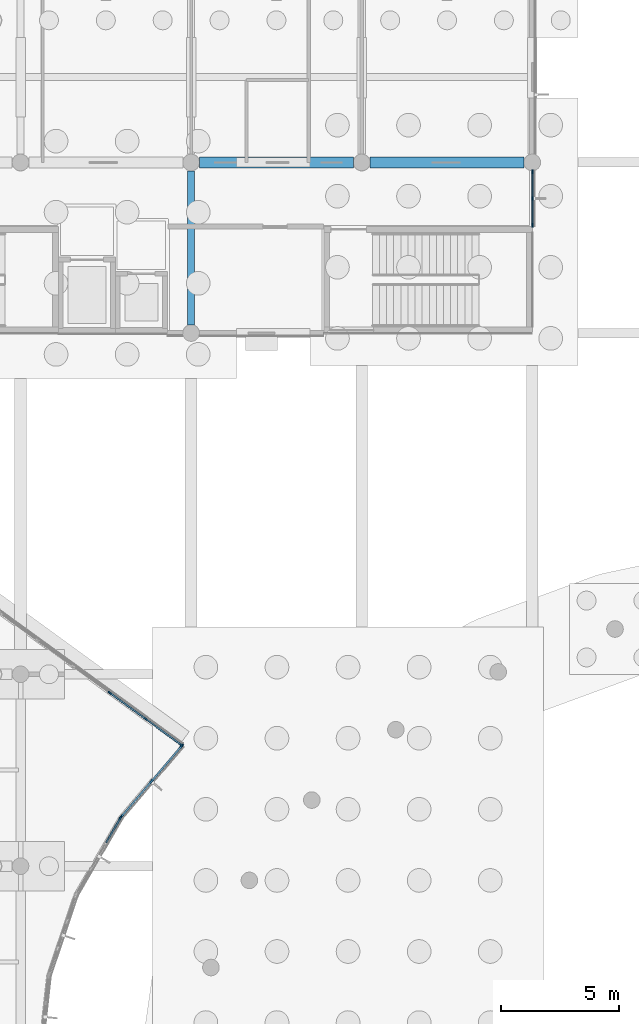
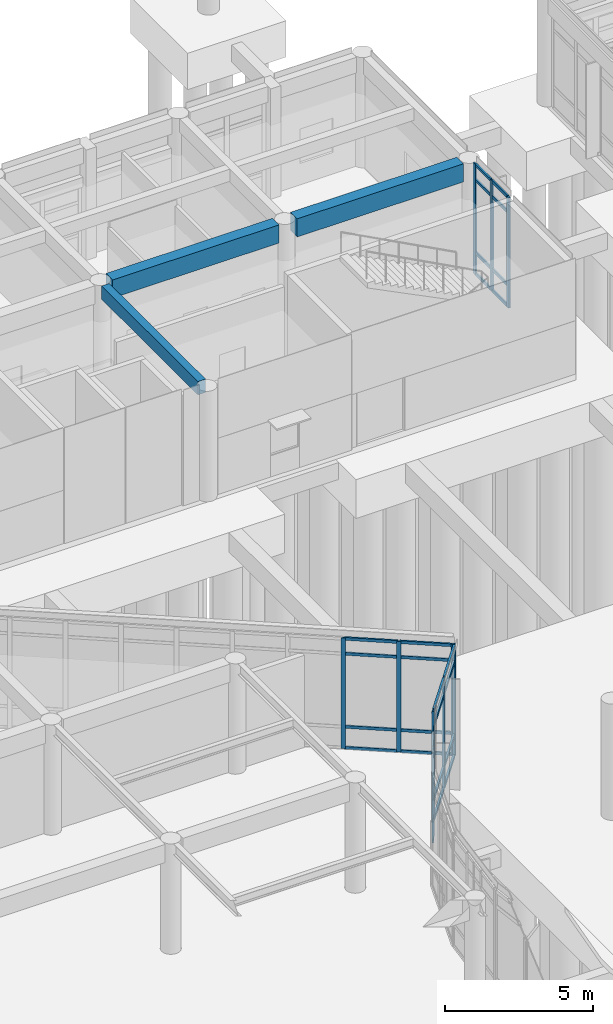
# One storey, part 30 of 103: 38 members, 3 beams, 4 elements without a shape of their own.
"""IFC4 building model written with IfcOpenShell, lengths in metres."""

from ifc_helpers import new_model, si_unit, direction, frame, origin, origin_2d, place, context, subcontext, project, spatial, rectangle, extrude, material, layer, layer_set, material_profile, profile_set, type_object, element, aggregate, save


model = new_model("IFC4")

# Units and contexts
model_context = context("Model", 3, precision=1e-05, world=origin(), true_north=direction((0.0, 1.0)))
body_context = subcontext(model_context, "Body", "Model", "MODEL_VIEW")
ifc_project = project(units=[si_unit("LENGTHUNIT", "METRE"), si_unit("AREAUNIT", "SQUARE_METRE"), si_unit("VOLUMEUNIT", "CUBIC_METRE"), si_unit("PLANEANGLEUNIT", "RADIAN"), si_unit("MASSUNIT", "GRAM", prefix="KILO")], contexts=[model_context])

# Site, building, storey
site_placement = place(None, origin())
site = spatial("IfcSite", under=ifc_project, at=site_placement, CompositionType="ELEMENT")
building_placement = place(site_placement, origin())
building = spatial("IfcBuilding", under=site, at=building_placement, Name="Namkhue Oval Health Centre", CompositionType="ELEMENT")
storey_placement = place(building_placement, origin())
storey = spatial("IfcBuildingStorey", under=building, at=storey_placement, Name="L00", CompositionType="ELEMENT", Elevation=0.0)

# Curtain wall, member
ifc_material_1 = material(Name="Anodised aluminium EN AW-6063 T6", Category="aluminium")
ifc_layer_1 = layer(ifc_material_1, 0.159912109375)
ifc_layer_set_1 = layer_set([ifc_layer_1], Name="Anodised aluminium EN AW-6063 T6")
curtain_wall_type_1 = type_object("IfcCurtainWallType", Name="UNITISED CURTAIN WALL M1500", PredefinedType="NOTDEFINED", material=ifc_layer_set_1)
curtain_wall_1_placement = place(storey_placement, origin())
curtain_wall_1 = element("IfcCurtainWall", 1, at=curtain_wall_1_placement, inside=storey, type_object=curtain_wall_type_1, Name="Volume V1 L00 Unitised Curtain Wall 9", PredefinedType="NOTDEFINED")
ifc_material_profile_1 = material_profile(ifc_material_1, rectangle(XDim=0.06494140625, YDim=0.159912109375, at=origin_2d()), Name="ALU 65x160")
ifc_profile_set_1 = profile_set([ifc_material_profile_1], Name="Anodised aluminium EN AW-6063 T6")
member_type_1 = type_object("IfcMemberType", Name="CURTAIN WALL MULLION 65X160", PredefinedType="MULLION", material=ifc_profile_set_1)
member_1_placement = place(storey_placement, frame((69.0126953125, 69.531982421875, 0.0), z_axis=(0.0, 0.0, 1.0), x_axis=(-0.865008156752, 0.501757798896, 0.0)))
member_1 = element("IfcMember", 2, at=member_1_placement, type_object=member_type_1, Name="CW-03 mullion 4", PredefinedType="MULLION", context=body_context, shape_type="SweptSolid", body=[
    extrude(rectangle(XDim=0.06494140625, YDim=0.159912109375, at=origin_2d()), origin(), (0.0, 0.0, 1.0), 4.56494140625),
])

# Curtain wall, members
ifc_layer_2 = layer(ifc_material_1, 0.159912109375)
ifc_layer_set_2 = layer_set([ifc_layer_2], Name="Anodised aluminium EN AW-6063 T6")
curtain_wall_type_2 = type_object("IfcCurtainWallType", Name="UNITISED CURTAIN WALL M1800", PredefinedType="NOTDEFINED", material=ifc_layer_set_2)
curtain_wall_2_placement = place(storey_placement, origin())
curtain_wall_2 = element("IfcCurtainWall", 3, at=curtain_wall_2_placement, inside=storey, type_object=curtain_wall_type_2, Name="Volume V1 L00 Unitised Curtain Wall 11", PredefinedType="NOTDEFINED")
member_2_placement = place(storey_placement, frame((71.591796875, 72.6162109375, 0.0), z_axis=(0.0, 0.0, 1.0), x_axis=(-0.588476942894, -0.808513999682, 0.0)))
member_2 = element("IfcMember", 4, at=member_2_placement, type_object=member_type_1, Name="CW-05 mullion 1", PredefinedType="MULLION", context=body_context, shape_type="SweptSolid", body=[
    extrude(rectangle(XDim=0.06494140625, YDim=0.159912109375, at=origin_2d()), origin(), (0.0, 0.0, 1.0), 4.56494140625),
])
member_3_placement = place(storey_placement, frame((70.090576171875, 73.708740234375, 0.0), z_axis=(0.0, 0.0, 1.0), x_axis=(-0.588476942894, -0.808513999682, 0.0)))
member_3 = element("IfcMember", 5, at=member_3_placement, type_object=member_type_1, Name="CW-05 mullion 2", PredefinedType="MULLION", context=body_context, shape_type="SweptSolid", body=[
    extrude(rectangle(XDim=0.06494140625, YDim=0.159912109375, at=origin_2d()), origin(), (0.0, 0.0, 1.0), 4.56494140625),
])
member_4_placement = place(storey_placement, frame((68.56298828125, 74.820556640625, 0.0), z_axis=(0.0, 0.0, 1.0), x_axis=(-0.588476942894, -0.808513999682, 0.0)))
member_4 = element("IfcMember", 6, at=member_4_placement, type_object=member_type_1, Name="CW-05 mullion 3", PredefinedType="MULLION", context=body_context, shape_type="SweptSolid", body=[
    extrude(rectangle(XDim=0.06494140625, YDim=0.159912109375, at=origin_2d()), origin(), (0.0, 0.0, 1.0), 4.56494140625),
])

ifc_layer_3 = layer(ifc_material_1, 0.159912109375)
ifc_layer_set_3 = layer_set([ifc_layer_3], Name="Anodised aluminium EN AW-6063 T6")
curtain_wall_type_3 = type_object("IfcCurtainWallType", Name="UNITISED CURTAIN WALL M1200", PredefinedType="NOTDEFINED", material=ifc_layer_set_3)
curtain_wall_3_placement = place(storey_placement, origin())
curtain_wall_3 = element("IfcCurtainWall", 7, at=curtain_wall_3_placement, inside=storey, type_object=curtain_wall_type_3, Name="Volume V2 L00 Unitised Curtain Wall 37", PredefinedType="NOTDEFINED")
member_5_placement = place(storey_placement, frame((86.39990234375, 94.549560546875, 0.0), z_axis=(0.0, 0.0, 1.0), x_axis=(-1.0, 0.0, 0.0)))
member_5 = element("IfcMember", 8, at=member_5_placement, type_object=member_type_1, Name="CW-01 mullion 1", PredefinedType="MULLION", context=body_context, shape_type="SweptSolid", body=[
    extrude(rectangle(XDim=0.06494140625, YDim=0.159912109375, at=origin_2d()), origin(), (0.0, 0.0, 1.0), 4.56005859375),
])
member_6_placement = place(storey_placement, frame((86.39990234375, 95.678466796875, 0.0), z_axis=(0.0, 0.0, 1.0), x_axis=(-1.0, 0.0, 0.0)))
member_6 = element("IfcMember", 9, at=member_6_placement, type_object=member_type_1, Name="CW-01 mullion 2", PredefinedType="MULLION", context=body_context, shape_type="SweptSolid", body=[
    extrude(rectangle(XDim=0.06494140625, YDim=0.159912109375, at=origin_2d()), origin(), (0.0, 0.0, 1.0), 4.56005859375),
])
member_7_placement = place(storey_placement, frame((86.39990234375, 96.8076171875, 0.0), z_axis=(0.0, 0.0, 1.0), x_axis=(-1.0, 0.0, 0.0)))
member_7 = element("IfcMember", 10, at=member_7_placement, type_object=member_type_1, Name="CW-01 mullion 3", PredefinedType="MULLION", context=body_context, shape_type="SweptSolid", body=[
    extrude(rectangle(XDim=0.06494140625, YDim=0.159912109375, at=origin_2d()), origin(), (0.0, 0.0, 1.0), 4.56005859375),
])

ifc_layer_4 = layer(ifc_material_1, 0.159912109375)
ifc_layer_set_4 = layer_set([ifc_layer_4], Name="Anodised aluminium EN AW-6063 T6")
curtain_wall_type_4 = type_object("IfcCurtainWallType", Name="UNITISED CURTAIN WALL M1600", PredefinedType="NOTDEFINED", material=ifc_layer_set_4)
curtain_wall_4_placement = place(storey_placement, origin())
curtain_wall_4 = element("IfcCurtainWall", 11, at=curtain_wall_4_placement, inside=storey, type_object=curtain_wall_type_4, Name="Volume V1 L00 Unitised Curtain Wall 10", PredefinedType="NOTDEFINED")
ifc_material_profile_2 = material_profile(ifc_material_1, rectangle(XDim=0.074951171875, YDim=0.199951171875, at=origin_2d()), Name="ALU 75x200")
ifc_profile_set_2 = profile_set([ifc_material_profile_2], Name="Anodised aluminium EN AW-6063 T6")
member_type_2 = type_object("IfcMemberType", Name="CURTAIN WALL MULLION 75X200", PredefinedType="MULLION", material=ifc_profile_set_2)
member_8_placement = place(storey_placement, frame((69.05322265625, 69.588623046875, 0.0), z_axis=(0.0, 0.0, 1.0), x_axis=(-0.761004950887, 0.648746071067, 0.0)))
member_8 = element("IfcMember", 12, at=member_8_placement, type_object=member_type_2, Name="CW-04 mullion 1", PredefinedType="MULLION", context=body_context, shape_type="SweptSolid", body=[
    extrude(rectangle(XDim=0.074951171875, YDim=0.199951171875, at=origin_2d()), origin(), (0.0, 0.0, 1.0), 4.56494140625),
])
member_9_placement = place(storey_placement, frame((70.323486328125, 71.07861328125, 0.0), z_axis=(0.0, 0.0, 1.0), x_axis=(-0.761004950887, 0.648746071067, 0.0)))
member_9 = element("IfcMember", 13, at=member_9_placement, type_object=member_type_2, Name="CW-04 mullion 2", PredefinedType="MULLION", context=body_context, shape_type="SweptSolid", body=[
    extrude(rectangle(XDim=0.074951171875, YDim=0.199951171875, at=origin_2d()), origin(), (0.0, 0.0, 1.0), 4.56494140625),
])
member_10_placement = place(storey_placement, frame((71.59375, 72.568359375, 0.0), z_axis=(0.0, 0.0, 1.0), x_axis=(-0.761004950887, 0.648746071067, 0.0)))
member_10 = element("IfcMember", 14, at=member_10_placement, type_object=member_type_2, Name="CW-04 mullion 3", PredefinedType="MULLION", context=body_context, shape_type="SweptSolid", body=[
    extrude(rectangle(XDim=0.074951171875, YDim=0.199951171875, at=origin_2d()), origin(), (0.0, 0.0, 1.0), 4.56494140625),
])

# Member
ifc_material_profile_3 = material_profile(ifc_material_1, rectangle(XDim=0.06494140625, YDim=0.1201171875, at=origin_2d()), Name="ALU 65x120")
ifc_profile_set_3 = profile_set([ifc_material_profile_3], Name="Anodised aluminium EN AW-6063 T6")
member_type_3 = type_object("IfcMemberType", Name="CURTAIN WALL TRANSOM 65X120", PredefinedType="USERDEFINED", material=ifc_profile_set_3)
member_11_placement = place(storey_placement, frame((68.4150390625, 68.50146484375, 0.032470703125), z_axis=(0.501733857722, 0.865022043658, 0.0), x_axis=(-0.865022043658, 0.501733857722, 0.0)))
member_11 = element("IfcMember", 15, at=member_11_placement, type_object=member_type_3, Name="CW-03 transom 3.1", ObjectType="TRANSOM", PredefinedType="USERDEFINED", context=body_context, shape_type="SweptSolid", body=[
    extrude(rectangle(XDim=0.06494140625, YDim=0.1201171875, at=origin_2d()), origin(), (0.0, 0.0, 1.0), 1.15869140625),
])

member_12_placement = place(storey_placement, frame((68.4150390625, 68.50146484375, 0.89990234375), z_axis=(0.501733857722, 0.865022043658, 0.0), x_axis=(-0.865022043658, 0.501733857722, 0.0)))
member_12 = element("IfcMember", 16, at=member_12_placement, type_object=member_type_3, Name="CW-03 transom 3.2", ObjectType="TRANSOM", PredefinedType="USERDEFINED", context=body_context, shape_type="SweptSolid", body=[
    extrude(rectangle(XDim=0.06494140625, YDim=0.1201171875, at=origin_2d()), origin(), (0.0, 0.0, 1.0), 1.15869140625),
])

member_13_placement = place(storey_placement, frame((68.4150390625, 68.50146484375, 3.9150390625), z_axis=(0.501733857722, 0.865022043658, 0.0), x_axis=(-0.865022043658, 0.501733857722, 0.0)))
member_13 = element("IfcMember", 17, at=member_13_placement, type_object=member_type_3, Name="CW-03 transom 3.3", ObjectType="TRANSOM", PredefinedType="USERDEFINED", context=body_context, shape_type="SweptSolid", body=[
    extrude(rectangle(XDim=0.06494140625, YDim=0.1201171875, at=origin_2d()), origin(), (0.0, 0.0, 1.0), 1.15869140625),
])

member_14_placement = place(storey_placement, frame((68.4150390625, 68.50146484375, 4.532470703125), z_axis=(0.501733857722, 0.865022043658, 0.0), x_axis=(-0.865022043658, 0.501733857722, 0.0)))
member_14 = element("IfcMember", 18, at=member_14_placement, type_object=member_type_3, Name="CW-03 transom 3.4", ObjectType="TRANSOM", PredefinedType="USERDEFINED", context=body_context, shape_type="SweptSolid", body=[
    extrude(rectangle(XDim=0.06494140625, YDim=0.1201171875, at=origin_2d()), origin(), (0.0, 0.0, 1.0), 1.15869140625),
])

aggregate(curtain_wall_1, [member_1, member_11, member_12, member_13, member_14])

member_15_placement = place(storey_placement, frame((71.5654296875, 72.63525390625, 0.032470703125), z_axis=(-0.808518025914, 0.588471411177, 0.0), x_axis=(-0.588471411177, -0.808518025914, 0.0)))
member_15 = element("IfcMember", 19, at=member_15_placement, type_object=member_type_3, Name="CW-05 transom 1.1", ObjectType="TRANSOM", PredefinedType="USERDEFINED", context=body_context, shape_type="SweptSolid", body=[
    extrude(rectangle(XDim=0.06494140625, YDim=0.1201171875, at=origin_2d()), origin(), (0.0, 0.0, 1.0), 1.791748046875),
])

member_16_placement = place(storey_placement, frame((71.5654296875, 72.63525390625, 0.89990234375), z_axis=(-0.808518025914, 0.588471411177, 0.0), x_axis=(-0.588471411177, -0.808518025914, 0.0)))
member_16 = element("IfcMember", 20, at=member_16_placement, type_object=member_type_3, Name="CW-05 transom 1.2", ObjectType="TRANSOM", PredefinedType="USERDEFINED", context=body_context, shape_type="SweptSolid", body=[
    extrude(rectangle(XDim=0.06494140625, YDim=0.1201171875, at=origin_2d()), origin(), (0.0, 0.0, 1.0), 1.791748046875),
])

member_17_placement = place(storey_placement, frame((71.5654296875, 72.63525390625, 3.9150390625), z_axis=(-0.808518025914, 0.588471411177, 0.0), x_axis=(-0.588471411177, -0.808518025914, 0.0)))
member_17 = element("IfcMember", 21, at=member_17_placement, type_object=member_type_3, Name="CW-05 transom 1.3", ObjectType="TRANSOM", PredefinedType="USERDEFINED", context=body_context, shape_type="SweptSolid", body=[
    extrude(rectangle(XDim=0.06494140625, YDim=0.1201171875, at=origin_2d()), origin(), (0.0, 0.0, 1.0), 1.791748046875),
])

member_18_placement = place(storey_placement, frame((71.5654296875, 72.63525390625, 4.532470703125), z_axis=(-0.808518025914, 0.588471411177, 0.0), x_axis=(-0.588471411177, -0.808518025914, 0.0)))
member_18 = element("IfcMember", 22, at=member_18_placement, type_object=member_type_3, Name="CW-05 transom 1.4", ObjectType="TRANSOM", PredefinedType="USERDEFINED", context=body_context, shape_type="SweptSolid", body=[
    extrude(rectangle(XDim=0.06494140625, YDim=0.1201171875, at=origin_2d()), origin(), (0.0, 0.0, 1.0), 1.791748046875),
])

member_19_placement = place(storey_placement, frame((70.064208984375, 73.727783203125, 0.032470703125), z_axis=(-0.808446631576, 0.588569489434, 0.0), x_axis=(-0.588569489434, -0.808446631576, 0.0)))
member_19 = element("IfcMember", 23, at=member_19_placement, type_object=member_type_3, Name="CW-05 transom 2.1", ObjectType="TRANSOM", PredefinedType="USERDEFINED", context=body_context, shape_type="SweptSolid", body=[
    extrude(rectangle(XDim=0.06494140625, YDim=0.1201171875, at=origin_2d()), origin(), (0.0, 0.0, 1.0), 1.82421875),
])

member_20_placement = place(storey_placement, frame((70.064208984375, 73.727783203125, 0.89990234375), z_axis=(-0.808446631576, 0.588569489434, 0.0), x_axis=(-0.588569489434, -0.808446631576, 0.0)))
member_20 = element("IfcMember", 24, at=member_20_placement, type_object=member_type_3, Name="CW-05 transom 2.2", ObjectType="TRANSOM", PredefinedType="USERDEFINED", context=body_context, shape_type="SweptSolid", body=[
    extrude(rectangle(XDim=0.06494140625, YDim=0.1201171875, at=origin_2d()), origin(), (0.0, 0.0, 1.0), 1.82421875),
])

member_21_placement = place(storey_placement, frame((70.064208984375, 73.727783203125, 3.9150390625), z_axis=(-0.808446631576, 0.588569489434, 0.0), x_axis=(-0.588569489434, -0.808446631576, 0.0)))
member_21 = element("IfcMember", 25, at=member_21_placement, type_object=member_type_3, Name="CW-05 transom 2.3", ObjectType="TRANSOM", PredefinedType="USERDEFINED", context=body_context, shape_type="SweptSolid", body=[
    extrude(rectangle(XDim=0.06494140625, YDim=0.1201171875, at=origin_2d()), origin(), (0.0, 0.0, 1.0), 1.82421875),
])

member_22_placement = place(storey_placement, frame((70.064208984375, 73.727783203125, 4.532470703125), z_axis=(-0.808446631576, 0.588569489434, 0.0), x_axis=(-0.588569489434, -0.808446631576, 0.0)))
member_22 = element("IfcMember", 26, at=member_22_placement, type_object=member_type_3, Name="CW-05 transom 2.4", ObjectType="TRANSOM", PredefinedType="USERDEFINED", context=body_context, shape_type="SweptSolid", body=[
    extrude(rectangle(XDim=0.06494140625, YDim=0.1201171875, at=origin_2d()), origin(), (0.0, 0.0, 1.0), 1.82421875),
])

aggregate(curtain_wall_2, [member_2, member_3, member_4, member_15, member_16, member_17, member_18, member_19, member_20, member_21, member_22])

member_23_placement = place(storey_placement, frame((86.39990234375, 94.58203125, 0.032470703125), z_axis=(0.0, 1.0, 0.0), x_axis=(-1.0, 0.0, 0.0)))
member_23 = element("IfcMember", 27, at=member_23_placement, type_object=member_type_3, Name="CW-01 transom 1.1", ObjectType="TRANSOM", PredefinedType="USERDEFINED", context=body_context, shape_type="SweptSolid", body=[
    extrude(rectangle(XDim=0.06494140625, YDim=0.1201171875, at=origin_2d()), origin(), (0.0, 0.0, 1.0), 1.06396484375),
])

member_24_placement = place(storey_placement, frame((86.39990234375, 94.58203125, 0.89990234375), z_axis=(0.0, 1.0, 0.0), x_axis=(-1.0, 0.0, 0.0)))
member_24 = element("IfcMember", 28, at=member_24_placement, type_object=member_type_3, Name="CW-01 transom 1.2", ObjectType="TRANSOM", PredefinedType="USERDEFINED", context=body_context, shape_type="SweptSolid", body=[
    extrude(rectangle(XDim=0.06494140625, YDim=0.1201171875, at=origin_2d()), origin(), (0.0, 0.0, 1.0), 1.06396484375),
])

member_25_placement = place(storey_placement, frame((86.39990234375, 94.58203125, 3.909912109375), z_axis=(0.0, 1.0, 0.0), x_axis=(-1.0, 0.0, 0.0)))
member_25 = element("IfcMember", 29, at=member_25_placement, type_object=member_type_3, Name="CW-01 transom 1.3", ObjectType="TRANSOM", PredefinedType="USERDEFINED", context=body_context, shape_type="SweptSolid", body=[
    extrude(rectangle(XDim=0.06494140625, YDim=0.1201171875, at=origin_2d()), origin(), (0.0, 0.0, 1.0), 1.06396484375),
])

member_26_placement = place(storey_placement, frame((86.39990234375, 94.58203125, 4.527587890625), z_axis=(0.0, 1.0, 0.0), x_axis=(-1.0, 0.0, 0.0)))
member_26 = element("IfcMember", 30, at=member_26_placement, type_object=member_type_3, Name="CW-01 transom 1.4", ObjectType="TRANSOM", PredefinedType="USERDEFINED", context=body_context, shape_type="SweptSolid", body=[
    extrude(rectangle(XDim=0.06494140625, YDim=0.1201171875, at=origin_2d()), origin(), (0.0, 0.0, 1.0), 1.06396484375),
])

member_27_placement = place(storey_placement, frame((86.39990234375, 95.7109375, 0.032470703125), z_axis=(0.0, 1.0, 0.0), x_axis=(-1.0, 0.0, 0.0)))
member_27 = element("IfcMember", 31, at=member_27_placement, type_object=member_type_3, Name="CW-01 transom 2.1", ObjectType="TRANSOM", PredefinedType="USERDEFINED", context=body_context, shape_type="SweptSolid", body=[
    extrude(rectangle(XDim=0.06494140625, YDim=0.1201171875, at=origin_2d()), origin(), (0.0, 0.0, 1.0), 1.06396484375),
])

member_28_placement = place(storey_placement, frame((86.39990234375, 95.7109375, 0.89990234375), z_axis=(0.0, 1.0, 0.0), x_axis=(-1.0, 0.0, 0.0)))
member_28 = element("IfcMember", 32, at=member_28_placement, type_object=member_type_3, Name="CW-01 transom 2.2", ObjectType="TRANSOM", PredefinedType="USERDEFINED", context=body_context, shape_type="SweptSolid", body=[
    extrude(rectangle(XDim=0.06494140625, YDim=0.1201171875, at=origin_2d()), origin(), (0.0, 0.0, 1.0), 1.06396484375),
])

member_29_placement = place(storey_placement, frame((86.39990234375, 95.7109375, 3.909912109375), z_axis=(0.0, 1.0, 0.0), x_axis=(-1.0, 0.0, 0.0)))
member_29 = element("IfcMember", 33, at=member_29_placement, type_object=member_type_3, Name="CW-01 transom 2.3", ObjectType="TRANSOM", PredefinedType="USERDEFINED", context=body_context, shape_type="SweptSolid", body=[
    extrude(rectangle(XDim=0.06494140625, YDim=0.1201171875, at=origin_2d()), origin(), (0.0, 0.0, 1.0), 1.06396484375),
])

member_30_placement = place(storey_placement, frame((86.39990234375, 95.7109375, 4.527587890625), z_axis=(0.0, 1.0, 0.0), x_axis=(-1.0, 0.0, 0.0)))
member_30 = element("IfcMember", 34, at=member_30_placement, type_object=member_type_3, Name="CW-01 transom 2.4", ObjectType="TRANSOM", PredefinedType="USERDEFINED", context=body_context, shape_type="SweptSolid", body=[
    extrude(rectangle(XDim=0.06494140625, YDim=0.1201171875, at=origin_2d()), origin(), (0.0, 0.0, 1.0), 1.06396484375),
])

aggregate(curtain_wall_3, [member_5, member_6, member_7, member_23, member_24, member_25, member_26, member_27, member_28, member_29, member_30])

ifc_material_profile_4 = material_profile(ifc_material_1, rectangle(XDim=0.074951171875, YDim=0.14990234375, at=origin_2d()), Name="ALU 75x150")
ifc_profile_set_4 = profile_set([ifc_material_profile_4], Name="Anodised aluminium EN AW-6063 T6")
member_type_4 = type_object("IfcMemberType", Name="CURTAIN WALL TRANSOM 75X150", PredefinedType="USERDEFINED", material=ifc_profile_set_4)
member_31_placement = place(storey_placement, frame((69.07763671875, 69.6171875, 0.03759765625), z_axis=(0.648728020556, 0.761020338326, 0.0), x_axis=(-0.761020338326, 0.648728020556, 0.0)))
member_31 = element("IfcMember", 35, at=member_31_placement, type_object=member_type_4, Name="CW-04 transom 1.1", ObjectType="TRANSOM", PredefinedType="USERDEFINED", context=body_context, shape_type="SweptSolid", body=[
    extrude(rectangle(XDim=0.074951171875, YDim=0.14990234375, at=origin_2d()), origin(), (0.0, 0.0, 1.0), 1.8828125),
])

member_32_placement = place(storey_placement, frame((69.07763671875, 69.6171875, 0.89990234375), z_axis=(0.648728020556, 0.761020338326, 0.0), x_axis=(-0.761020338326, 0.648728020556, 0.0)))
member_32 = element("IfcMember", 36, at=member_32_placement, type_object=member_type_4, Name="CW-04 transom 1.2", ObjectType="TRANSOM", PredefinedType="USERDEFINED", context=body_context, shape_type="SweptSolid", body=[
    extrude(rectangle(XDim=0.074951171875, YDim=0.14990234375, at=origin_2d()), origin(), (0.0, 0.0, 1.0), 1.8828125),
])

member_33_placement = place(storey_placement, frame((69.07763671875, 69.6171875, 3.9150390625), z_axis=(0.648728020556, 0.761020338326, 0.0), x_axis=(-0.761020338326, 0.648728020556, 0.0)))
member_33 = element("IfcMember", 37, at=member_33_placement, type_object=member_type_4, Name="CW-04 transom 1.3", ObjectType="TRANSOM", PredefinedType="USERDEFINED", context=body_context, shape_type="SweptSolid", body=[
    extrude(rectangle(XDim=0.074951171875, YDim=0.14990234375, at=origin_2d()), origin(), (0.0, 0.0, 1.0), 1.8828125),
])

member_34_placement = place(storey_placement, frame((69.07763671875, 69.6171875, 4.527587890625), z_axis=(0.648728020556, 0.761020338326, 0.0), x_axis=(-0.761020338326, 0.648728020556, 0.0)))
member_34 = element("IfcMember", 38, at=member_34_placement, type_object=member_type_4, Name="CW-04 transom 1.4", ObjectType="TRANSOM", PredefinedType="USERDEFINED", context=body_context, shape_type="SweptSolid", body=[
    extrude(rectangle(XDim=0.074951171875, YDim=0.14990234375, at=origin_2d()), origin(), (0.0, 0.0, 1.0), 1.8828125),
])

member_35_placement = place(storey_placement, frame((70.347900390625, 71.10693359375, 0.03759765625), z_axis=(0.648664008204, 0.761074900691, 0.0), x_axis=(-0.761074900691, 0.648664008204, 0.0)))
member_35 = element("IfcMember", 39, at=member_35_placement, type_object=member_type_4, Name="CW-04 transom 2.1", ObjectType="TRANSOM", PredefinedType="USERDEFINED", context=body_context, shape_type="SweptSolid", body=[
    extrude(rectangle(XDim=0.074951171875, YDim=0.14990234375, at=origin_2d()), origin(), (0.0, 0.0, 1.0), 1.883056640625),
])

member_36_placement = place(storey_placement, frame((70.347900390625, 71.10693359375, 0.89990234375), z_axis=(0.648664008204, 0.761074900691, 0.0), x_axis=(-0.761074900691, 0.648664008204, 0.0)))
member_36 = element("IfcMember", 40, at=member_36_placement, type_object=member_type_4, Name="CW-04 transom 2.2", ObjectType="TRANSOM", PredefinedType="USERDEFINED", context=body_context, shape_type="SweptSolid", body=[
    extrude(rectangle(XDim=0.074951171875, YDim=0.14990234375, at=origin_2d()), origin(), (0.0, 0.0, 1.0), 1.883056640625),
])

member_37_placement = place(storey_placement, frame((70.347900390625, 71.10693359375, 3.9150390625), z_axis=(0.648664008204, 0.761074900691, 0.0), x_axis=(-0.761074900691, 0.648664008204, 0.0)))
member_37 = element("IfcMember", 41, at=member_37_placement, type_object=member_type_4, Name="CW-04 transom 2.3", ObjectType="TRANSOM", PredefinedType="USERDEFINED", context=body_context, shape_type="SweptSolid", body=[
    extrude(rectangle(XDim=0.074951171875, YDim=0.14990234375, at=origin_2d()), origin(), (0.0, 0.0, 1.0), 1.883056640625),
])

member_38_placement = place(storey_placement, frame((70.347900390625, 71.10693359375, 4.527587890625), z_axis=(0.648664008204, 0.761074900691, 0.0), x_axis=(-0.761074900691, 0.648664008204, 0.0)))
member_38 = element("IfcMember", 42, at=member_38_placement, type_object=member_type_4, Name="CW-04 transom 2.4", ObjectType="TRANSOM", PredefinedType="USERDEFINED", context=body_context, shape_type="SweptSolid", body=[
    extrude(rectangle(XDim=0.074951171875, YDim=0.14990234375, at=origin_2d()), origin(), (0.0, 0.0, 1.0), 1.883056640625),
])

aggregate(curtain_wall_4, [member_8, member_9, member_10, member_31, member_32, member_33, member_34, member_35, member_36, member_37, member_38])

# Beams
ifc_material_2 = material(Name="Reinforced concrete C30/37 (TCVN B35)", Category="concrete")
ifc_material_profile_5 = material_profile(ifc_material_2, rectangle(XDim=0.300048828125, YDim=0.550048828125, at=origin_2d()), Name="RC 300x550")
ifc_profile_set_5 = profile_set([ifc_material_profile_5], Name="Reinforced concrete C30/37 (TCVN B35)")
beam_type_1 = type_object("IfcBeamType", Name="FLOOR BEAM RC 300X550", PredefinedType="BEAM", material=ifc_profile_set_5)
beam_placement = place(storey_placement, frame((72.0, 90.35009765625, 4.284912109375), z_axis=(0.0, 1.0, 0.0), x_axis=(-1.0, 0.0, 0.0)))
element("IfcBeam", 43, at=beam_placement, inside=storey, type_object=beam_type_1, Name="Volume V2 L01 Beam 11/N-O", PredefinedType="BEAM", context=body_context, shape_type="SweptSolid", body=[
    extrude(rectangle(XDim=0.300048828125, YDim=0.550048828125, at=origin_2d()), origin(), (0.0, 0.0, 1.0), 6.5),
])
ifc_material_3 = material(Name="Reinforced concrete C35/45 (TCVN B40)", Category="concrete")
ifc_material_profile_6 = material_profile(ifc_material_3, rectangle(XDim=0.449951171875, YDim=0.75, at=origin_2d()), Name="RC 450x750")
ifc_profile_set_6 = profile_set([ifc_material_profile_6], Name="Reinforced concrete C35/45 (TCVN B40)")
beam_type_2 = type_object("IfcBeamType", Name="PRIMARY GIRDER RC 450X750", PredefinedType="USERDEFINED", material=ifc_profile_set_6)
for number, where, z_axis, x_axis, name in (
    (44, (72.35009765625, 97.199951171875, 4.18505859375), (1.0, 0.0, 0.0), (0.0, 1.0, 0.0), "Volume V2 L01 Girder O/11-12"),
    (45, (79.550048828125, 97.199951171875, 4.18505859375), (1.0, 0.0, 0.0), (0.0, 1.0, 0.0), "Volume V2 L01 Girder O/12-13"),
):
    element("IfcBeam", number, at=place(storey_placement, frame(where, z_axis=z_axis, x_axis=x_axis)), inside=storey, type_object=beam_type_2, Name=name, ObjectType="GIRDER", PredefinedType="USERDEFINED", context=body_context, shape_type="SweptSolid", body=[
        extrude(rectangle(XDim=0.449951171875, YDim=0.75, at=origin_2d()), origin(), (0.0, 0.0, 1.0), 6.5),
    ])

save(model, "model.ifc")
